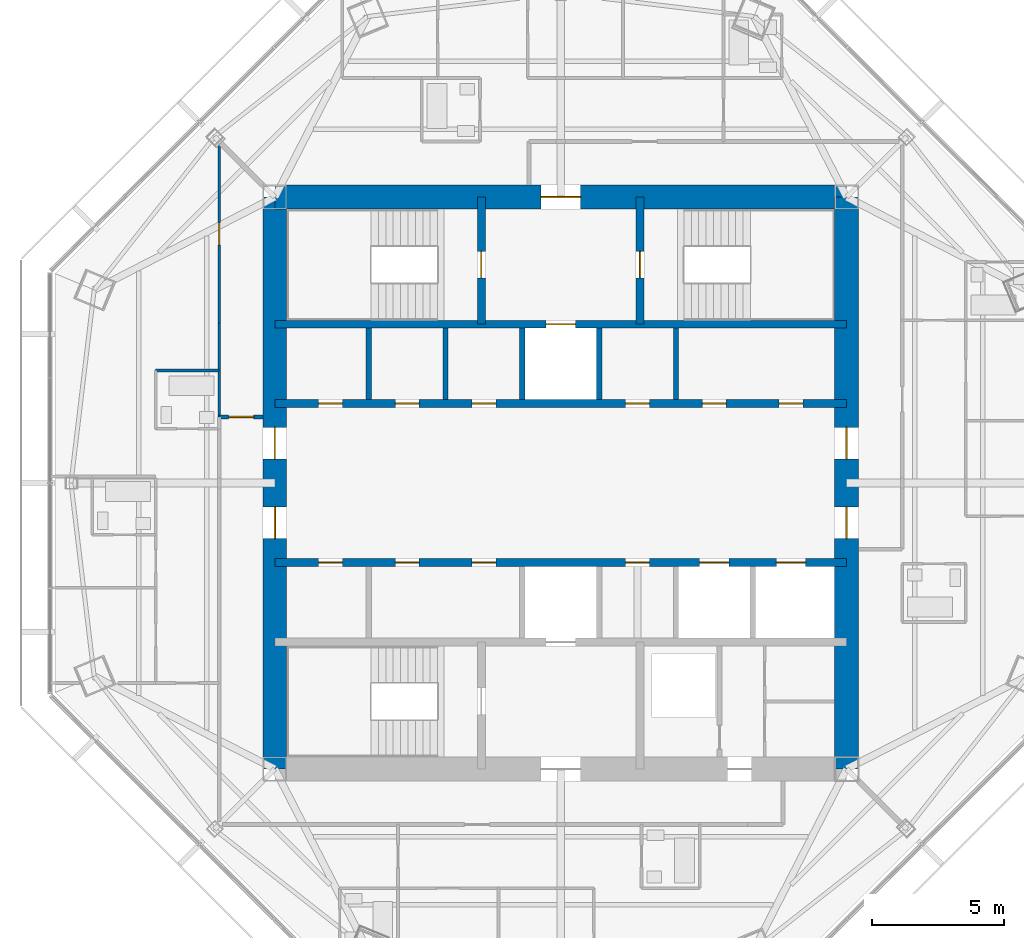
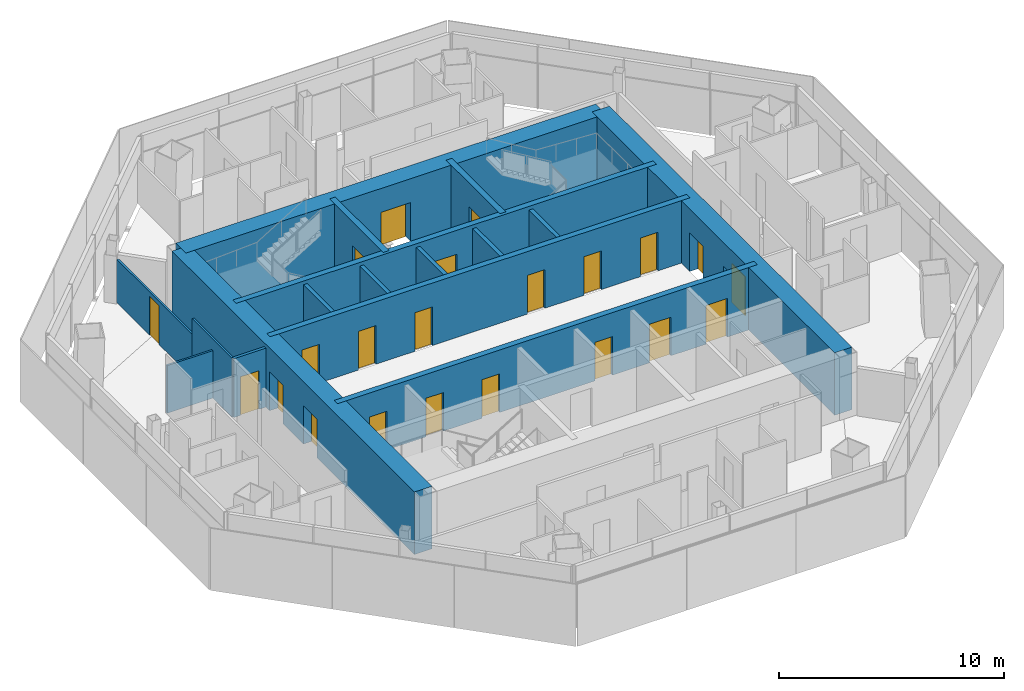
# One storey, part 10 of 15: 22 doors, 17 walls, 22 openings.
"""IFC4 building model written with IfcOpenShell, lengths in metres."""

from ifc_helpers import new_model, si_unit, direction, frame, frame_2d, origin, place, context, subcontext, project, spatial, rectangle, extrude, material, layer, layer_set, type_object, element, fill, save


model = new_model("IFC4")

# Units and contexts
model_context = context("Model", 3, precision=1e-05, world=origin(), true_north=direction((0.0, 1.0)))
body_context = subcontext(model_context, "Body", "Model", "MODEL_VIEW")
ifc_project = project(units=[si_unit("LENGTHUNIT", "METRE"), si_unit("AREAUNIT", "SQUARE_METRE"), si_unit("VOLUMEUNIT", "CUBIC_METRE"), si_unit("PLANEANGLEUNIT", "RADIAN"), si_unit("MASSUNIT", "GRAM", prefix="KILO")], contexts=[model_context])

# Site, building, storey
site_placement = place(None, origin())
site = spatial("IfcSite", under=ifc_project, at=site_placement, CompositionType="ELEMENT")
building_placement = place(site_placement, origin())
building = spatial("IfcBuilding", under=site, at=building_placement, Name="Mashrafa Tower", CompositionType="ELEMENT")
storey_placement = place(building_placement, frame((0.0, 0.0, 308.199951171875)))
storey = spatial("IfcBuildingStorey", under=building, at=storey_placement, Name="L76", CompositionType="ELEMENT", Elevation=308.199951171875)

# Wall, openings, doors
ifc_material_1 = material(Name="Concrete C50/60", Category="concrete")
ifc_layer_1 = layer(ifc_material_1, 0.300048828125)
ifc_layer_set_1 = layer_set([ifc_layer_1], Name="Core wall 300 C50/60")
wall_type_1 = type_object("IfcWallType", Name="Core wall 300 C50/60", PredefinedType="SOLIDWALL", material=ifc_layer_set_1)
wall_1_placement = place(storey_placement, frame((-10.800048828125, 3.0, 0.0), z_axis=(0.0, 0.0, 1.0), x_axis=(1.0, 0.0, 0.0)))
wall_1 = element("IfcWall", 1, at=wall_1_placement, inside=storey, type_object=wall_type_1, Name="Core wall CH-N L76", PredefinedType="SOLIDWALL", context=body_context, shape_type="SweptSolid", body=[
    extrude(rectangle(XDim=21.60009765625, YDim=0.300048828125, at=frame_2d((10.800048828125, 0.0))), origin(), (0.0, 0.0, 1.0), 3.400146484375),
])
opening_1_placement = place(wall_1_placement, frame((1.64990234375, 0.0, 0.0)))
opening_1 = element("IfcOpeningElement", 2, at=opening_1_placement, cuts=wall_1, Name="Opening 76.040", PredefinedType="OPENING", context=body_context, shape_type="SweptSolid", body=[
    extrude(rectangle(XDim=0.89990234375, YDim=2.10009765625, at=frame_2d((0.449951171875, 1.050048828125))), frame((0.0, 0.159912109375, 0.0), z_axis=(0.0, -1.0, 0.0), x_axis=(1.0, 0.0, 0.0)), (0.0, 0.0, 1.0), 0.320068359375),
])
opening_2_placement = place(wall_1_placement, frame((4.550048828125, 0.0, 0.0)))
opening_2 = element("IfcOpeningElement", 3, at=opening_2_placement, cuts=wall_1, Name="Opening 76.041", PredefinedType="OPENING", context=body_context, shape_type="SweptSolid", body=[
    extrude(rectangle(XDim=0.89990234375, YDim=2.10009765625, at=frame_2d((0.449951171875, 1.050048828125))), frame((0.0, 0.159912109375, 0.0), z_axis=(0.0, -1.0, 0.0), x_axis=(1.0, 0.0, 0.0)), (0.0, 0.0, 1.0), 0.320068359375),
])
opening_3_placement = place(wall_1_placement, frame((7.449951171875, 0.0, 0.0)))
opening_3 = element("IfcOpeningElement", 4, at=opening_3_placement, cuts=wall_1, Name="Opening 76.042", PredefinedType="OPENING", context=body_context, shape_type="SweptSolid", body=[
    extrude(rectangle(XDim=0.89990234375, YDim=2.10009765625, at=frame_2d((0.449951171875, 1.050048828125))), frame((0.0, 0.159912109375, 0.0), z_axis=(0.0, -1.0, 0.0), x_axis=(1.0, 0.0, 0.0)), (0.0, 0.0, 1.0), 0.320068359375),
])
opening_4_placement = place(wall_1_placement, frame((13.25, 0.0, 0.0)))
opening_4 = element("IfcOpeningElement", 5, at=opening_4_placement, cuts=wall_1, Name="Opening 76.043", PredefinedType="OPENING", context=body_context, shape_type="SweptSolid", body=[
    extrude(rectangle(XDim=0.89990234375, YDim=2.10009765625, at=frame_2d((0.449951171875, 1.050048828125))), frame((0.0, 0.159912109375, 0.0), z_axis=(0.0, -1.0, 0.0), x_axis=(1.0, 0.0, 0.0)), (0.0, 0.0, 1.0), 0.320068359375),
])
opening_5_placement = place(wall_1_placement, frame((16.14990234375, 0.0, 0.0)))
opening_5 = element("IfcOpeningElement", 6, at=opening_5_placement, cuts=wall_1, Name="Opening 76.044", PredefinedType="OPENING", context=body_context, shape_type="SweptSolid", body=[
    extrude(rectangle(XDim=0.89990234375, YDim=2.10009765625, at=frame_2d((0.449951171875, 1.050048828125))), frame((0.0, 0.159912109375, 0.0), z_axis=(0.0, -1.0, 0.0), x_axis=(1.0, 0.0, 0.0)), (0.0, 0.0, 1.0), 0.320068359375),
])
opening_6_placement = place(wall_1_placement, frame((19.050048828125, 0.0, 0.0)))
opening_6 = element("IfcOpeningElement", 7, at=opening_6_placement, cuts=wall_1, Name="Opening 76.045", PredefinedType="OPENING", context=body_context, shape_type="SweptSolid", body=[
    extrude(rectangle(XDim=0.89990234375, YDim=2.10009765625, at=frame_2d((0.449951171875, 1.050048828125))), frame((0.0, 0.159912109375, 0.0), z_axis=(0.0, -1.0, 0.0), x_axis=(1.0, 0.0, 0.0)), (0.0, 0.0, 1.0), 0.320068359375),
])
ifc_material_2 = material(Name="Timber door", Category="wood")
door_type_1 = type_object("IfcDoorType", Name="Store door 900 x 2100", OperationType="USERDEFINED", PredefinedType="DOOR", material=ifc_material_2)
door_1_placement = place(opening_1_placement, origin())
door_1 = element("IfcDoor", 8, at=door_1_placement, inside=storey, type_object=door_type_1, Name="Refuse Chute Room L76 door", OperationType="SINGLE_SWING_RIGHT", OverallHeight=2.10009765625, OverallWidth=0.89990234375, PredefinedType="DOOR", context=body_context, shape_type="SweptSolid", body=[
    extrude(rectangle(XDim=0.89990234375, YDim=2.10009765625, at=frame_2d((0.449951171875, 1.050048828125))), frame((0.0, 0.02490234375, 0.0), z_axis=(0.0, -1.0, 0.0), x_axis=(1.0, 0.0, 0.0)), (0.0, 0.0, 1.0), 0.050048828125),
])
fill(opening_1, door_1)
door_2_placement = place(opening_2_placement, origin())
door_2 = element("IfcDoor", 9, at=door_2_placement, inside=storey, type_object=door_type_1, Name="Housekeeping Room L76 door", OperationType="SINGLE_SWING_LEFT", OverallHeight=2.10009765625, OverallWidth=0.89990234375, PredefinedType="DOOR", context=body_context, shape_type="SweptSolid", body=[
    extrude(rectangle(XDim=0.89990234375, YDim=2.10009765625, at=frame_2d((0.449951171875, 1.050048828125))), frame((0.0, 0.02490234375, 0.0), z_axis=(0.0, -1.0, 0.0), x_axis=(1.0, 0.0, 0.0)), (0.0, 0.0, 1.0), 0.050048828125),
])
fill(opening_2, door_2)
door_3_placement = place(opening_3_placement, origin())
door_3 = element("IfcDoor", 10, at=door_3_placement, inside=storey, type_object=door_type_1, Name="Vending and Ice Room L76 door", OperationType="SINGLE_SWING_LEFT", OverallHeight=2.10009765625, OverallWidth=0.89990234375, PredefinedType="DOOR", context=body_context, shape_type="SweptSolid", body=[
    extrude(rectangle(XDim=0.89990234375, YDim=2.10009765625, at=frame_2d((0.449951171875, 1.050048828125))), frame((0.0, 0.02490234375, 0.0), z_axis=(0.0, -1.0, 0.0), x_axis=(1.0, 0.0, 0.0)), (0.0, 0.0, 1.0), 0.050048828125),
])
fill(opening_3, door_3)
door_4_placement = place(opening_4_placement, origin())
door_4 = element("IfcDoor", 11, at=door_4_placement, inside=storey, type_object=door_type_1, Name="Cleaner's Store L76 door", OperationType="SINGLE_SWING_LEFT", OverallHeight=2.10009765625, OverallWidth=0.89990234375, PredefinedType="DOOR", context=body_context, shape_type="SweptSolid", body=[
    extrude(rectangle(XDim=0.89990234375, YDim=2.10009765625, at=frame_2d((0.449951171875, 1.050048828125))), frame((0.0, 0.02490234375, 0.0), z_axis=(0.0, -1.0, 0.0), x_axis=(1.0, 0.0, 0.0)), (0.0, 0.0, 1.0), 0.050048828125),
])
fill(opening_4, door_4)
door_5_placement = place(opening_5_placement, origin())
door_5 = element("IfcDoor", 12, at=door_5_placement, inside=storey, type_object=door_type_1, Name="Parcel Room L76 door", OperationType="SINGLE_SWING_LEFT", OverallHeight=2.10009765625, OverallWidth=0.89990234375, PredefinedType="DOOR", context=body_context, shape_type="SweptSolid", body=[
    extrude(rectangle(XDim=0.89990234375, YDim=2.10009765625, at=frame_2d((0.449951171875, 1.050048828125))), frame((0.0, 0.02490234375, 0.0), z_axis=(0.0, -1.0, 0.0), x_axis=(1.0, 0.0, 0.0)), (0.0, 0.0, 1.0), 0.050048828125),
])
fill(opening_5, door_5)
door_6_placement = place(opening_6_placement, origin())
door_6 = element("IfcDoor", 13, at=door_6_placement, inside=storey, type_object=door_type_1, Name="Parcel Room L76 door", OperationType="SINGLE_SWING_RIGHT", OverallHeight=2.10009765625, OverallWidth=0.89990234375, PredefinedType="DOOR", context=body_context, shape_type="SweptSolid", body=[
    extrude(rectangle(XDim=0.89990234375, YDim=2.10009765625, at=frame_2d((0.449951171875, 1.050048828125))), frame((0.0, 0.02490234375, 0.0), z_axis=(0.0, -1.0, 0.0), x_axis=(1.0, 0.0, 0.0)), (0.0, 0.0, 1.0), 0.050048828125),
])
fill(opening_6, door_6)

# Wall, opening, door
wall_2_placement = place(storey_placement, frame((-10.800048828125, 6.0, 0.0), z_axis=(0.0, 0.0, 1.0), x_axis=(1.0, 0.0, 0.0)))
wall_2 = element("IfcWall", 14, at=wall_2_placement, inside=storey, type_object=wall_type_1, Name="Core wall CB-N L76", PredefinedType="SOLIDWALL", context=body_context, shape_type="SweptSolid", body=[
    extrude(rectangle(XDim=21.60009765625, YDim=0.300048828125, at=frame_2d((10.800048828125, 0.0))), origin(), (0.0, 0.0, 1.0), 3.400146484375),
])
opening_7_placement = place(wall_2_placement, frame((10.25, 0.0, 0.0)))
opening_7 = element("IfcOpeningElement", 15, at=opening_7_placement, cuts=wall_2, Name="Opening 76.F1", PredefinedType="OPENING", context=body_context, shape_type="SweptSolid", body=[
    extrude(rectangle(XDim=1.10009765625, YDim=2.10009765625, at=frame_2d((0.550048828125, 1.050048828125))), frame((0.0, 0.159912109375, 0.0), z_axis=(0.0, -1.0, 0.0), x_axis=(1.0, 0.0, 0.0)), (0.0, 0.0, 1.0), 0.320068359375),
])
ifc_material_3 = material(Name="Steel door", Category="steel")
door_type_2 = type_object("IfcDoorType", Name="Lift landing door 1100 x 2100 90 min", OperationType="DOUBLE_DOOR_SLIDING", PredefinedType="DOOR", material=ifc_material_3)
door_7_placement = place(opening_7_placement, origin())
door_7 = element("IfcDoor", 16, at=door_7_placement, inside=storey, type_object=door_type_2, Name="Lift landing door F1 L76", OperationType="DOUBLE_DOOR_SLIDING", OverallHeight=2.10009765625, OverallWidth=1.10009765625, PredefinedType="DOOR", context=body_context, shape_type="SweptSolid", body=[
    extrude(rectangle(XDim=1.10009765625, YDim=2.10009765625, at=frame_2d((0.550048828125, 1.050048828125))), frame((0.0, 0.02490234375, 0.0), z_axis=(0.0, -1.0, 0.0), x_axis=(1.0, 0.0, 0.0)), (0.0, 0.0, 1.0), 0.050048828125),
])
fill(opening_7, door_7)

wall_3_placement = place(storey_placement, frame((-3.0, 6.0, 0.0), z_axis=(0.0, 0.0, 1.0), x_axis=(0.0, 1.0, 0.0)))
wall_3 = element("IfcWall", 17, at=wall_3_placement, inside=storey, type_object=wall_type_1, Name="Core wall CX-NW L76", PredefinedType="SOLIDWALL", context=body_context, shape_type="SweptSolid", body=[
    extrude(rectangle(XDim=4.800048828125, YDim=0.300048828125, at=frame_2d((2.39990234375, 0.0))), origin(), (0.0, 0.0, 1.0), 3.400146484375),
])
opening_8_placement = place(wall_3_placement, frame((1.75, 0.0, 0.0)))
opening_8 = element("IfcOpeningElement", 18, at=opening_8_placement, cuts=wall_3, Name="Opening 76.033", PredefinedType="OPENING", context=body_context, shape_type="SweptSolid", body=[
    extrude(rectangle(XDim=1.0, YDim=2.10009765625, at=frame_2d((0.5, 1.050048828125))), frame((0.0, 0.159912109375, 0.0), z_axis=(0.0, -1.0, 0.0), x_axis=(1.0, 0.0, 0.0)), (0.0, 0.0, 1.0), 0.320068359375),
])
ifc_material_4 = material(Name="Steel door", Category="steel")
door_type_3 = type_object("IfcDoorType", Name="Stair door 1000 x 2100 90 min", OperationType="USERDEFINED", PredefinedType="DOOR", material=ifc_material_4)
door_8_placement = place(opening_8_placement, origin())
door_8 = element("IfcDoor", 19, at=door_8_placement, inside=storey, type_object=door_type_3, Name="Stair S1 door L76", OperationType="SINGLE_SWING_LEFT", OverallHeight=2.10009765625, OverallWidth=1.0, PredefinedType="DOOR", context=body_context, shape_type="SweptSolid", body=[
    extrude(rectangle(XDim=1.0, YDim=2.10009765625, at=frame_2d((0.5, 1.050048828125))), frame((0.0, 0.02490234375, 0.0), z_axis=(0.0, -1.0, 0.0), x_axis=(1.0, 0.0, 0.0)), (0.0, 0.0, 1.0), 0.050048828125),
])
fill(opening_8, door_8)

wall_4_placement = place(storey_placement, frame((3.0, 6.0, 0.0), z_axis=(0.0, 0.0, 1.0), x_axis=(0.0, 1.0, 0.0)))
wall_4 = element("IfcWall", 20, at=wall_4_placement, inside=storey, type_object=wall_type_1, Name="Core wall CX-NE L76", PredefinedType="SOLIDWALL", context=body_context, shape_type="SweptSolid", body=[
    extrude(rectangle(XDim=4.800048828125, YDim=0.300048828125, at=frame_2d((2.39990234375, 0.0))), origin(), (0.0, 0.0, 1.0), 3.400146484375),
])
opening_9_placement = place(wall_4_placement, frame((1.75, 0.0, 0.0)))
opening_9 = element("IfcOpeningElement", 21, at=opening_9_placement, cuts=wall_4, Name="Opening 76.034", PredefinedType="OPENING", context=body_context, shape_type="SweptSolid", body=[
    extrude(rectangle(XDim=1.0, YDim=2.10009765625, at=frame_2d((0.5, 1.050048828125))), frame((0.0, 0.159912109375, 0.0), z_axis=(0.0, -1.0, 0.0), x_axis=(1.0, 0.0, 0.0)), (0.0, 0.0, 1.0), 0.320068359375),
])
door_9_placement = place(opening_9_placement, frame((1.0, 0.0, 0.0), z_axis=(0.0, 0.0, 1.0), x_axis=(-1.0, 0.0, 0.0)))
door_9 = element("IfcDoor", 22, at=door_9_placement, inside=storey, type_object=door_type_3, Name="Stair S2 door L76", OperationType="SINGLE_SWING_RIGHT", OverallHeight=2.10009765625, OverallWidth=1.0, PredefinedType="DOOR", context=body_context, shape_type="SweptSolid", body=[
    extrude(rectangle(XDim=1.0, YDim=2.10009765625, at=frame_2d((0.5, 1.050048828125))), frame((0.0, 0.02490234375, 0.0), z_axis=(0.0, -1.0, 0.0), x_axis=(1.0, 0.0, 0.0)), (0.0, 0.0, 1.0), 0.050048828125),
])
fill(opening_9, door_9)

# Wall, openings, doors
wall_5_placement = place(storey_placement, frame((-10.800048828125, -3.0, 0.0), z_axis=(0.0, 0.0, 1.0), x_axis=(1.0, 0.0, 0.0)))
wall_5 = element("IfcWall", 23, at=wall_5_placement, inside=storey, type_object=wall_type_1, Name="Core wall CH-S L76", PredefinedType="SOLIDWALL", context=body_context, shape_type="SweptSolid", body=[
    extrude(rectangle(XDim=21.60009765625, YDim=0.300048828125, at=frame_2d((10.800048828125, 0.0))), origin(), (0.0, 0.0, 1.0), 3.400146484375),
])
opening_10_placement = place(wall_5_placement, frame((4.550048828125, 0.0, 0.0)))
opening_10 = element("IfcOpeningElement", 24, at=opening_10_placement, cuts=wall_5, Name="Opening 76.046", PredefinedType="OPENING", context=body_context, shape_type="SweptSolid", body=[
    extrude(rectangle(XDim=0.89990234375, YDim=2.10009765625, at=frame_2d((0.449951171875, 1.050048828125))), frame((0.0, 0.159912109375, 0.0), z_axis=(0.0, -1.0, 0.0), x_axis=(1.0, 0.0, 0.0)), (0.0, 0.0, 1.0), 0.320068359375),
])
opening_11_placement = place(wall_5_placement, frame((7.449951171875, 0.0, 0.0)))
opening_11 = element("IfcOpeningElement", 25, at=opening_11_placement, cuts=wall_5, Name="Opening 76.047", PredefinedType="OPENING", context=body_context, shape_type="SweptSolid", body=[
    extrude(rectangle(XDim=0.89990234375, YDim=2.10009765625, at=frame_2d((0.449951171875, 1.050048828125))), frame((0.0, 0.159912109375, 0.0), z_axis=(0.0, -1.0, 0.0), x_axis=(1.0, 0.0, 0.0)), (0.0, 0.0, 1.0), 0.320068359375),
])
opening_12_placement = place(wall_5_placement, frame((1.64990234375, 0.0, 0.0)))
opening_12 = element("IfcOpeningElement", 26, at=opening_12_placement, cuts=wall_5, Name="Opening 76.048", PredefinedType="OPENING", context=body_context, shape_type="SweptSolid", body=[
    extrude(rectangle(XDim=0.89990234375, YDim=2.10009765625, at=frame_2d((0.449951171875, 1.050048828125))), frame((0.0, 0.159912109375, 0.0), z_axis=(0.0, -1.0, 0.0), x_axis=(1.0, 0.0, 0.0)), (0.0, 0.0, 1.0), 0.320068359375),
])
opening_13_placement = place(wall_5_placement, frame((13.25, 0.0, 0.0)))
opening_13 = element("IfcOpeningElement", 27, at=opening_13_placement, cuts=wall_5, Name="Opening 76.049", PredefinedType="OPENING", context=body_context, shape_type="SweptSolid", body=[
    extrude(rectangle(XDim=0.89990234375, YDim=2.10009765625, at=frame_2d((0.449951171875, 1.050048828125))), frame((0.0, 0.159912109375, 0.0), z_axis=(0.0, -1.0, 0.0), x_axis=(1.0, 0.0, 0.0)), (0.0, 0.0, 1.0), 0.320068359375),
])
opening_14_placement = place(wall_5_placement, frame((16.050048828125, 0.0, 0.0)))
opening_14 = element("IfcOpeningElement", 28, at=opening_14_placement, cuts=wall_5, Name="Opening 76.R1", PredefinedType="OPENING", context=body_context, shape_type="SweptSolid", body=[
    extrude(rectangle(XDim=1.10009765625, YDim=2.10009765625, at=frame_2d((0.550048828125, 1.050048828125))), frame((0.0, 0.159912109375, 0.0), z_axis=(0.0, -1.0, 0.0), x_axis=(1.0, 0.0, 0.0)), (0.0, 0.0, 1.0), 0.320068359375),
])
opening_15_placement = place(wall_5_placement, frame((18.949951171875, 0.0, 0.0)))
opening_15 = element("IfcOpeningElement", 29, at=opening_15_placement, cuts=wall_5, Name="Opening 76.R2", PredefinedType="OPENING", context=body_context, shape_type="SweptSolid", body=[
    extrude(rectangle(XDim=1.10009765625, YDim=2.10009765625, at=frame_2d((0.550048828125, 1.050048828125))), frame((0.0, 0.159912109375, 0.0), z_axis=(0.0, -1.0, 0.0), x_axis=(1.0, 0.0, 0.0)), (0.0, 0.0, 1.0), 0.320068359375),
])
door_10_placement = place(opening_14_placement, origin())
door_10 = element("IfcDoor", 30, at=door_10_placement, inside=storey, type_object=door_type_2, Name="Lift landing door R1 L76", OperationType="DOUBLE_DOOR_SLIDING", OverallHeight=2.10009765625, OverallWidth=1.10009765625, PredefinedType="DOOR", context=body_context, shape_type="SweptSolid", body=[
    extrude(rectangle(XDim=1.10009765625, YDim=2.10009765625, at=frame_2d((0.550048828125, 1.050048828125))), frame((0.0, 0.02490234375, 0.0), z_axis=(0.0, -1.0, 0.0), x_axis=(1.0, 0.0, 0.0)), (0.0, 0.0, 1.0), 0.050048828125),
])
fill(opening_14, door_10)
door_11_placement = place(opening_15_placement, origin())
door_11 = element("IfcDoor", 31, at=door_11_placement, inside=storey, type_object=door_type_2, Name="Lift landing door R2 L76", OperationType="DOUBLE_DOOR_SLIDING", OverallHeight=2.10009765625, OverallWidth=1.10009765625, PredefinedType="DOOR", context=body_context, shape_type="SweptSolid", body=[
    extrude(rectangle(XDim=1.10009765625, YDim=2.10009765625, at=frame_2d((0.550048828125, 1.050048828125))), frame((0.0, 0.02490234375, 0.0), z_axis=(0.0, -1.0, 0.0), x_axis=(1.0, 0.0, 0.0)), (0.0, 0.0, 1.0), 0.050048828125),
])
fill(opening_15, door_11)
door_12_placement = place(opening_10_placement, frame((0.89990234375, 0.0, 0.0), z_axis=(0.0, 0.0, 1.0), x_axis=(-1.0, 0.0, 0.0)))
door_12 = element("IfcDoor", 32, at=door_12_placement, inside=storey, type_object=door_type_1, Name="Butler's Pantry L76 door", OperationType="SINGLE_SWING_RIGHT", OverallHeight=2.10009765625, OverallWidth=0.89990234375, PredefinedType="DOOR", context=body_context, shape_type="SweptSolid", body=[
    extrude(rectangle(XDim=0.89990234375, YDim=2.10009765625, at=frame_2d((0.449951171875, 1.050048828125))), frame((0.0, 0.02490234375, 0.0), z_axis=(0.0, -1.0, 0.0), x_axis=(1.0, 0.0, 0.0)), (0.0, 0.0, 1.0), 0.050048828125),
])
fill(opening_10, door_12)
door_13_placement = place(opening_11_placement, frame((0.89990234375, 0.0, 0.0), z_axis=(0.0, 0.0, 1.0), x_axis=(-1.0, 0.0, 0.0)))
door_13 = element("IfcDoor", 33, at=door_13_placement, inside=storey, type_object=door_type_1, Name="Butler's Pantry L76 door", OperationType="SINGLE_SWING_LEFT", OverallHeight=2.10009765625, OverallWidth=0.89990234375, PredefinedType="DOOR", context=body_context, shape_type="SweptSolid", body=[
    extrude(rectangle(XDim=0.89990234375, YDim=2.10009765625, at=frame_2d((0.449951171875, 1.050048828125))), frame((0.0, 0.02490234375, 0.0), z_axis=(0.0, -1.0, 0.0), x_axis=(1.0, 0.0, 0.0)), (0.0, 0.0, 1.0), 0.050048828125),
])
fill(opening_11, door_13)
door_14_placement = place(opening_12_placement, frame((0.89990234375, 0.0, 0.0), z_axis=(0.0, 0.0, 1.0), x_axis=(-1.0, 0.0, 0.0)))
door_14 = element("IfcDoor", 34, at=door_14_placement, inside=storey, type_object=door_type_1, Name="Residents' Store L76-B1 door", OperationType="SINGLE_SWING_LEFT", OverallHeight=2.10009765625, OverallWidth=0.89990234375, PredefinedType="DOOR", context=body_context, shape_type="SweptSolid", body=[
    extrude(rectangle(XDim=0.89990234375, YDim=2.10009765625, at=frame_2d((0.449951171875, 1.050048828125))), frame((0.0, 0.02490234375, 0.0), z_axis=(0.0, -1.0, 0.0), x_axis=(1.0, 0.0, 0.0)), (0.0, 0.0, 1.0), 0.050048828125),
])
fill(opening_12, door_14)
door_15_placement = place(opening_13_placement, frame((0.89990234375, 0.0, 0.0), z_axis=(0.0, 0.0, 1.0), x_axis=(-1.0, 0.0, 0.0)))
door_15 = element("IfcDoor", 35, at=door_15_placement, inside=storey, type_object=door_type_1, Name="Residents' Store L76-B4 door", OperationType="SINGLE_SWING_RIGHT", OverallHeight=2.10009765625, OverallWidth=0.89990234375, PredefinedType="DOOR", context=body_context, shape_type="SweptSolid", body=[
    extrude(rectangle(XDim=0.89990234375, YDim=2.10009765625, at=frame_2d((0.449951171875, 1.050048828125))), frame((0.0, 0.02490234375, 0.0), z_axis=(0.0, -1.0, 0.0), x_axis=(1.0, 0.0, 0.0)), (0.0, 0.0, 1.0), 0.050048828125),
])
fill(opening_13, door_15)

ifc_material_5 = material(Name="Concrete C50/60", Category="concrete")
ifc_layer_2 = layer(ifc_material_5, 0.89990234375)
ifc_layer_set_2 = layer_set([ifc_layer_2], Name="Core wall 900 C50/60")
wall_type_2 = type_object("IfcWallType", Name="Core wall 900 C50/60", PredefinedType="SOLIDWALL", material=ifc_layer_set_2)
wall_6_placement = place(storey_placement, frame((10.800048828125, -10.800048828125, 0.0), z_axis=(0.0, 0.0, 1.0), x_axis=(0.0, 1.0, 0.0)))
wall_6 = element("IfcWall", 36, at=wall_6_placement, inside=storey, type_object=wall_type_2, Name="Core wall CW-E L76", PredefinedType="SOLIDWALL", context=body_context, shape_type="SweptSolid", body=[
    extrude(rectangle(XDim=21.60009765625, YDim=0.89990234375, at=frame_2d((10.800048828125, 0.0))), origin(), (0.0, 0.0, 1.0), 3.400146484375),
])
opening_16_placement = place(wall_6_placement, frame((11.699951171875, 0.0, 0.0)))
opening_16 = element("IfcOpeningElement", 37, at=opening_16_placement, cuts=wall_6, Name="Opening 76.027", PredefinedType="OPENING", context=body_context, shape_type="SweptSolid", body=[
    extrude(rectangle(XDim=1.199951171875, YDim=2.10009765625, at=frame_2d((0.60009765625, 1.050048828125))), frame((0.0, 0.4599609375, 0.0), z_axis=(0.0, -1.0, 0.0), x_axis=(1.0, 0.0, 0.0)), (0.0, 0.0, 1.0), 0.919921875),
])
opening_17_placement = place(wall_6_placement, frame((8.699951171875, 0.0, 0.0)))
opening_17 = element("IfcOpeningElement", 38, at=opening_17_placement, cuts=wall_6, Name="Opening 76.029", PredefinedType="OPENING", context=body_context, shape_type="SweptSolid", body=[
    extrude(rectangle(XDim=1.199951171875, YDim=2.10009765625, at=frame_2d((0.60009765625, 1.050048828125))), frame((0.0, 0.4599609375, 0.0), z_axis=(0.0, -1.0, 0.0), x_axis=(1.0, 0.0, 0.0)), (0.0, 0.0, 1.0), 0.919921875),
])
ifc_material_6 = material(Name="Steel door", Category="steel")
door_type_4 = type_object("IfcDoorType", Name="Lift hall door 1200 x 2100 90 min", OperationType="USERDEFINED", PredefinedType="DOOR", material=ifc_material_6)
door_16_placement = place(opening_16_placement, frame((1.199951171875, 0.0, 0.0), z_axis=(0.0, 0.0, 1.0), x_axis=(-1.0, 0.0, 0.0)))
door_16 = element("IfcDoor", 39, at=door_16_placement, inside=storey, type_object=door_type_4, Name="Lift hall door east L76", OperationType="SINGLE_SWING_RIGHT", OverallHeight=2.10009765625, OverallWidth=1.199951171875, PredefinedType="DOOR", context=body_context, shape_type="SweptSolid", body=[
    extrude(rectangle(XDim=1.199951171875, YDim=2.10009765625, at=frame_2d((0.60009765625, 1.050048828125))), frame((0.0, 0.02490234375, 0.0), z_axis=(0.0, -1.0, 0.0), x_axis=(1.0, 0.0, 0.0)), (0.0, 0.0, 1.0), 0.050048828125),
])
fill(opening_16, door_16)
door_17_placement = place(opening_17_placement, frame((1.199951171875, 0.0, 0.0), z_axis=(0.0, 0.0, 1.0), x_axis=(-1.0, 0.0, 0.0)))
door_17 = element("IfcDoor", 40, at=door_17_placement, inside=storey, type_object=door_type_4, Name="Lift hall door east L76", OperationType="SINGLE_SWING_RIGHT", OverallHeight=2.10009765625, OverallWidth=1.199951171875, PredefinedType="DOOR", context=body_context, shape_type="SweptSolid", body=[
    extrude(rectangle(XDim=1.199951171875, YDim=2.10009765625, at=frame_2d((0.60009765625, 1.050048828125))), frame((0.0, 0.02490234375, 0.0), z_axis=(0.0, -1.0, 0.0), x_axis=(1.0, 0.0, 0.0)), (0.0, 0.0, 1.0), 0.050048828125),
])
fill(opening_17, door_17)

# Wall, opening, door
wall_7_placement = place(storey_placement, frame((10.800048828125, 10.800048828125, 0.0), z_axis=(0.0, 0.0, 1.0), x_axis=(-1.0, 0.0, 0.0)))
wall_7 = element("IfcWall", 41, at=wall_7_placement, inside=storey, type_object=wall_type_2, Name="Core wall CW-N L76", PredefinedType="SOLIDWALL", context=body_context, shape_type="SweptSolid", body=[
    extrude(rectangle(XDim=21.60009765625, YDim=0.89990234375, at=frame_2d((10.800048828125, 0.0))), origin(), (0.0, 0.0, 1.0), 3.400146484375),
])
opening_18_placement = place(wall_7_placement, frame((10.050048828125, 0.0, 0.0)))
opening_18 = element("IfcOpeningElement", 42, at=opening_18_placement, cuts=wall_7, Name="Opening 76.031", PredefinedType="OPENING", context=body_context, shape_type="SweptSolid", body=[
    extrude(rectangle(XDim=1.5, YDim=2.10009765625, at=frame_2d((0.75, 1.050048828125))), frame((0.0, 0.4599609375, 0.0), z_axis=(0.0, -1.0, 0.0), x_axis=(1.0, 0.0, 0.0)), (0.0, 0.0, 1.0), 0.919921875),
])
ifc_material_7 = material(Name="Steel door", Category="steel")
door_type_5 = type_object("IfcDoorType", Name="Lobby door pair 1500 x 2100 90 min", OperationType="DOUBLE_DOOR_SINGLE_SWING", PredefinedType="DOOR", material=ifc_material_7)
door_18_placement = place(opening_18_placement, origin())
door_18 = element("IfcDoor", 43, at=door_18_placement, inside=storey, type_object=door_type_5, Name="Fire-fighting lobby F1 door L76", OperationType="DOUBLE_DOOR_SINGLE_SWING", OverallHeight=2.10009765625, OverallWidth=1.5, PredefinedType="DOOR", context=body_context, shape_type="SweptSolid", body=[
    extrude(rectangle(XDim=1.5, YDim=2.10009765625, at=frame_2d((0.75, 1.050048828125))), frame((0.0, 0.02490234375, 0.0), z_axis=(0.0, -1.0, 0.0), x_axis=(1.0, 0.0, 0.0)), (0.0, 0.0, 1.0), 0.050048828125),
])
fill(opening_18, door_18)

# Wall, openings, doors
wall_8_placement = place(storey_placement, frame((-10.800048828125, 10.800048828125, 0.0), z_axis=(0.0, 0.0, 1.0), x_axis=(0.0, -1.0, 0.0)))
wall_8 = element("IfcWall", 44, at=wall_8_placement, inside=storey, type_object=wall_type_2, Name="Core wall CW-W L76", PredefinedType="SOLIDWALL", context=body_context, shape_type="SweptSolid", body=[
    extrude(rectangle(XDim=21.60009765625, YDim=0.89990234375, at=frame_2d((10.800048828125, 0.0))), origin(), (0.0, 0.0, 1.0), 3.400146484375),
])
opening_19_placement = place(wall_8_placement, frame((8.699951171875, 0.0, 0.0)))
opening_19 = element("IfcOpeningElement", 45, at=opening_19_placement, cuts=wall_8, Name="Opening 76.028", PredefinedType="OPENING", context=body_context, shape_type="SweptSolid", body=[
    extrude(rectangle(XDim=1.199951171875, YDim=2.10009765625, at=frame_2d((0.60009765625, 1.050048828125))), frame((0.0, 0.4599609375, 0.0), z_axis=(0.0, -1.0, 0.0), x_axis=(1.0, 0.0, 0.0)), (0.0, 0.0, 1.0), 0.919921875),
])
opening_20_placement = place(wall_8_placement, frame((11.699951171875, 0.0, 0.0)))
opening_20 = element("IfcOpeningElement", 46, at=opening_20_placement, cuts=wall_8, Name="Opening 76.030", PredefinedType="OPENING", context=body_context, shape_type="SweptSolid", body=[
    extrude(rectangle(XDim=1.199951171875, YDim=2.10009765625, at=frame_2d((0.60009765625, 1.050048828125))), frame((0.0, 0.4599609375, 0.0), z_axis=(0.0, -1.0, 0.0), x_axis=(1.0, 0.0, 0.0)), (0.0, 0.0, 1.0), 0.919921875),
])
door_19_placement = place(opening_19_placement, origin())
door_19 = element("IfcDoor", 47, at=door_19_placement, inside=storey, type_object=door_type_4, Name="Lift hall door west L76", OperationType="SINGLE_SWING_LEFT", OverallHeight=2.10009765625, OverallWidth=1.199951171875, PredefinedType="DOOR", context=body_context, shape_type="SweptSolid", body=[
    extrude(rectangle(XDim=1.199951171875, YDim=2.10009765625, at=frame_2d((0.60009765625, 1.050048828125))), frame((0.0, 0.02490234375, 0.0), z_axis=(0.0, -1.0, 0.0), x_axis=(1.0, 0.0, 0.0)), (0.0, 0.0, 1.0), 0.050048828125),
])
fill(opening_19, door_19)
door_20_placement = place(opening_20_placement, frame((1.199951171875, 0.0, 0.0), z_axis=(0.0, 0.0, 1.0), x_axis=(-1.0, 0.0, 0.0)))
door_20 = element("IfcDoor", 48, at=door_20_placement, inside=storey, type_object=door_type_4, Name="Lift hall door west L76", OperationType="SINGLE_SWING_RIGHT", OverallHeight=2.10009765625, OverallWidth=1.199951171875, PredefinedType="DOOR", context=body_context, shape_type="SweptSolid", body=[
    extrude(rectangle(XDim=1.199951171875, YDim=2.10009765625, at=frame_2d((0.60009765625, 1.050048828125))), frame((0.0, 0.02490234375, 0.0), z_axis=(0.0, -1.0, 0.0), x_axis=(1.0, 0.0, 0.0)), (0.0, 0.0, 1.0), 0.050048828125),
])
fill(opening_20, door_20)

# Wall, opening, door
ifc_material_8 = material(Name="Gypsum board on steel studs", Category="steel")
ifc_layer_3 = layer(ifc_material_8, 0.14990234375)
ifc_layer_set_3 = layer_set([ifc_layer_3], Name="Corridor partition 150 1 hr")
wall_type_3 = type_object("IfcWallType", Name="Corridor partition 150 1 hr", PredefinedType="PARTITIONING", material=ifc_layer_set_3)
wall_9_placement = place(storey_placement, frame((-11.25, 2.5, 0.0), z_axis=(0.0, 0.0, 1.0), x_axis=(-1.0, 0.0, 0.0)))
wall_9 = element("IfcWall", 49, at=wall_9_placement, inside=storey, type_object=wall_type_3, Name="Corridor wall L76-024", PredefinedType="PARTITIONING", context=body_context, shape_type="SweptSolid", body=[
    extrude(rectangle(XDim=1.64990234375, YDim=0.14990234375, at=frame_2d((0.824951171875, 0.0))), origin(), (0.0, 0.0, 1.0), 3.199951171875),
])
opening_21_placement = place(wall_9_placement, frame((0.35009765625, 0.0, 0.0)))
opening_21 = element("IfcOpeningElement", 50, at=opening_21_placement, cuts=wall_9, Name="Opening 76.026", PredefinedType="OPENING", context=body_context, shape_type="SweptSolid", body=[
    extrude(rectangle(XDim=0.949951171875, YDim=2.10009765625, at=frame_2d((0.47509765625, 1.050048828125))), frame((0.0, 0.0849609375, 0.0), z_axis=(0.0, -1.0, 0.0), x_axis=(1.0, 0.0, 0.0)), (0.0, 0.0, 1.0), 0.169921875),
])
ifc_material_9 = material(Name="Steel door", Category="steel")
door_type_6 = type_object("IfcDoorType", Name="Residence entrance door 950 x 2100 20 min", OperationType="USERDEFINED", PredefinedType="DOOR", material=ifc_material_9)
door_21_placement = place(opening_21_placement, origin())
door_21 = element("IfcDoor", 51, at=door_21_placement, inside=storey, type_object=door_type_6, Name="Apartment 7603 Entrance Hall door", OperationType="SINGLE_SWING_RIGHT", OverallHeight=2.10009765625, OverallWidth=0.949951171875, PredefinedType="DOOR", context=body_context, shape_type="SweptSolid", body=[
    extrude(rectangle(XDim=0.949951171875, YDim=2.10009765625, at=frame_2d((0.47509765625, 1.050048828125))), frame((0.0, 0.02490234375, 0.0), z_axis=(0.0, -1.0, 0.0), x_axis=(1.0, 0.0, 0.0)), (0.0, 0.0, 1.0), 0.050048828125),
])
fill(opening_21, door_21)

# Walls
ifc_material_10 = material(Name="Gypsum board on steel studs", Category="steel")
ifc_layer_4 = layer(ifc_material_10, 0.10009765625)
ifc_layer_set_4 = layer_set([ifc_layer_4], Name="Partition 100")
wall_type_4 = type_object("IfcWallType", Name="Partition 100", PredefinedType="PARTITIONING", material=ifc_layer_set_4)
wall_10_placement = place(storey_placement, frame((-15.300048828125, 4.25, 0.0), z_axis=(0.0, 0.0, 1.0), x_axis=(1.0, 0.0, 0.0)))
element("IfcWall", 52, at=wall_10_placement, inside=storey, type_object=wall_type_4, Name="Partition wall L76-066", PredefinedType="PARTITIONING", context=body_context, shape_type="SweptSolid", body=[
    extrude(rectangle(XDim=2.400146484375, YDim=0.10009765625, at=frame_2d((1.2001953125, 0.0))), origin(), (0.0, 0.0, 1.0), 2.588134765625),
])
wall_11_placement = place(storey_placement, frame((-12.89990234375, 6.050048828125, 0.0), z_axis=(0.0, 0.0, 1.0), x_axis=(0.0, -1.0, 0.0)))
element("IfcWall", 53, at=wall_11_placement, inside=storey, type_object=wall_type_4, Name="Partition wall L76-067", PredefinedType="PARTITIONING", context=body_context, shape_type="SweptSolid", body=[
    extrude(rectangle(XDim=3.551025390625, YDim=0.10009765625, at=frame_2d((1.775390625, 0.0))), origin(), (0.0, 0.0, 1.0), 3.199951171875),
])

# Wall, opening, door
wall_12_placement = place(storey_placement, frame((-12.89990234375, 6.050048828125, 0.0), z_axis=(0.0, 0.0, 1.0), x_axis=(0.0, 1.0, 0.0)))
wall_12 = element("IfcWall", 54, at=wall_12_placement, inside=storey, type_object=wall_type_4, Name="Partition wall L76-084", PredefinedType="PARTITIONING", context=body_context, shape_type="SweptSolid", body=[
    extrude(rectangle(XDim=6.726318359375, YDim=0.10009765625, at=frame_2d((3.36328125, 0.0))), origin(), (0.0, 0.0, 1.0), 2.349365234375),
])
opening_22_placement = place(wall_12_placement, frame((2.938232421875, 0.0, 0.0)))
opening_22 = element("IfcOpeningElement", 55, at=opening_22_placement, cuts=wall_12, Name="Opening 76.019", PredefinedType="OPENING", context=body_context, shape_type="SweptSolid", body=[
    extrude(rectangle(XDim=0.85009765625, YDim=2.10009765625, at=frame_2d((0.425048828125, 1.050048828125))), frame((0.0, 0.06005859375, 0.0), z_axis=(0.0, -1.0, 0.0), x_axis=(1.0, 0.0, 0.0)), (0.0, 0.0, 1.0), 0.1201171875),
])
ifc_material_11 = material(Name="Timber door", Category="wood")
door_type_7 = type_object("IfcDoorType", Name="Bedroom door 850 x 2100", OperationType="USERDEFINED", PredefinedType="DOOR", material=ifc_material_11)
door_22_placement = place(opening_22_placement, origin())
door_22 = element("IfcDoor", 56, at=door_22_placement, inside=storey, type_object=door_type_7, Name="Apartment 7603 Living Room door", OperationType="SINGLE_SWING_LEFT", OverallHeight=2.10009765625, OverallWidth=0.85009765625, PredefinedType="DOOR", context=body_context, shape_type="SweptSolid", body=[
    extrude(rectangle(XDim=0.85009765625, YDim=2.10009765625, at=frame_2d((0.425048828125, 1.050048828125))), frame((0.0, 0.02490234375, 0.0), z_axis=(0.0, -1.0, 0.0), x_axis=(1.0, 0.0, 0.0)), (0.0, 0.0, 1.0), 0.050048828125),
])
fill(opening_22, door_22)

# Walls
ifc_material_12 = material(Name="Gypsum shaft wall on steel studs", Category="steel")
ifc_layer_5 = layer(ifc_material_12, 0.199951171875)
ifc_layer_set_5 = layer_set([ifc_layer_5], Name="Shaft divider wall 200 2 hr")
wall_type_5 = type_object("IfcWallType", Name="Shaft divider wall 200 2 hr", PredefinedType="PARTITIONING", material=ifc_layer_set_5)
for number, where, z_axis, x_axis, name in (
    (57, (-7.25, 3.14990234375, 0.0), (0.0, 0.0, 1.0), (0.0, 1.0, 0.0), "Shaft divider wall N1 L76"),
    (58, (-4.35009765625, 3.14990234375, 0.0), (0.0, 0.0, 1.0), (0.0, 1.0, 0.0), "Shaft divider wall N2 L76"),
    (59, (-1.449951171875, 3.14990234375, 0.0), (0.0, 0.0, 1.0), (0.0, 1.0, 0.0), "Shaft divider wall N3 L76"),
    (60, (1.449951171875, 3.14990234375, 0.0), (0.0, 0.0, 1.0), (0.0, 1.0, 0.0), "Shaft divider wall N4 L76"),
    (61, (4.35009765625, 3.14990234375, 0.0), (0.0, 0.0, 1.0), (0.0, 1.0, 0.0), "Shaft divider wall N5 L76"),
):
    element("IfcWall", number, at=place(storey_placement, frame(where, z_axis=z_axis, x_axis=x_axis)), inside=storey, type_object=wall_type_5, Name=name, PredefinedType="PARTITIONING", context=body_context, shape_type="SweptSolid", body=[
        extrude(rectangle(XDim=2.7001953125, YDim=0.199951171875, at=frame_2d((1.35009765625, 0.0))), origin(), (0.0, 0.0, 1.0), 3.199951171875),
    ])

save(model, "model.ifc")
